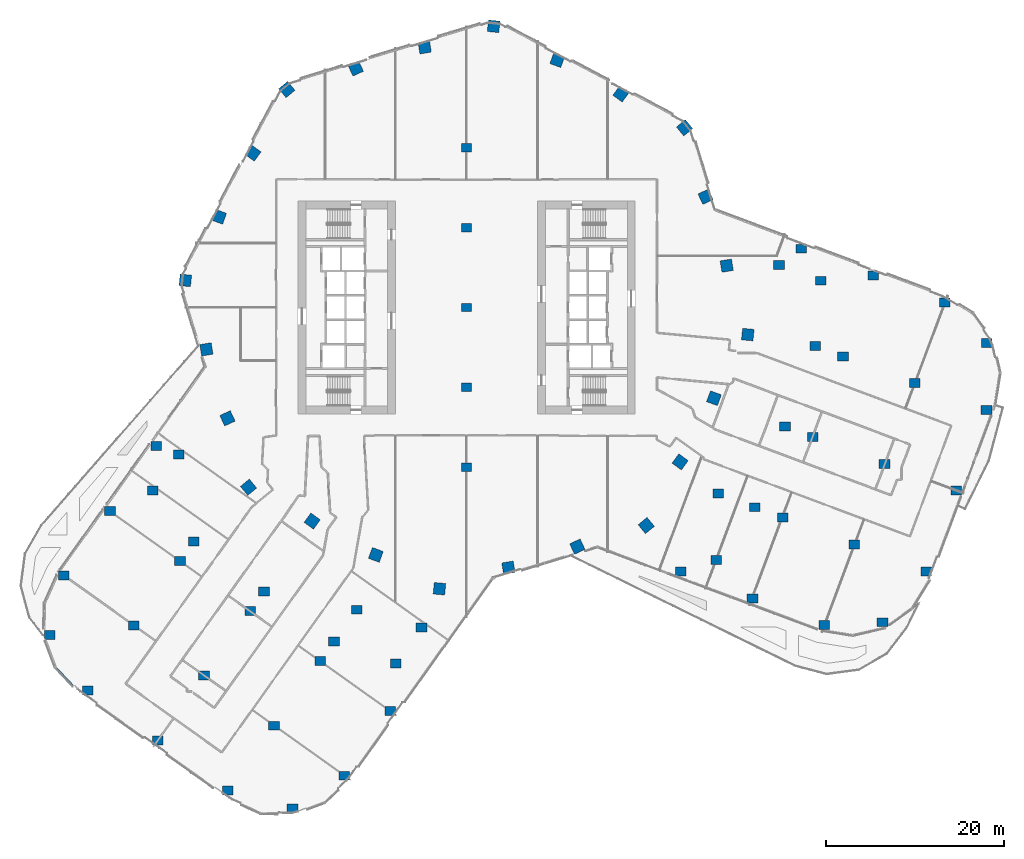
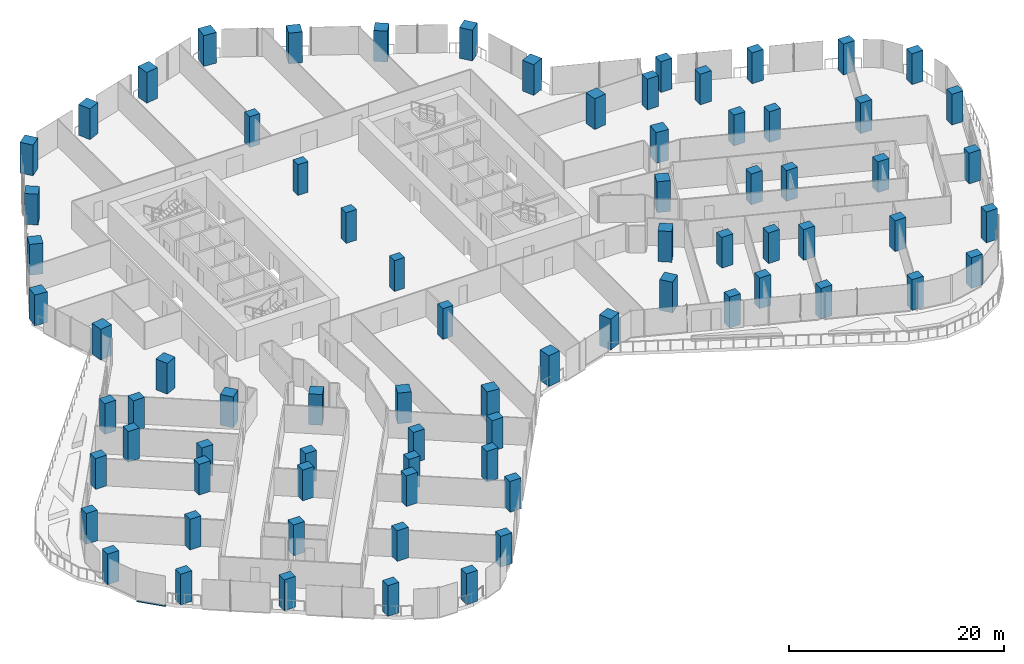
# One storey, part 1 of 30: 77 columns, 1 member, 1 element without a shape of its own.
"""IFC4 building model written with IfcOpenShell, lengths in metres."""

from ifc_helpers import new_model, si_unit, direction, frame, origin, origin_2d, place, context, subcontext, project, spatial, rectangle, extrude, material, material_profile, profile_set, type_object, element, aggregate, save


model = new_model("IFC4")

# Units and contexts
model_context = context("Model", 3, precision=1e-05, world=origin(), true_north=direction((0.0, 1.0)))
body_context = subcontext(model_context, "Body", "Model", "MODEL_VIEW")
ifc_project = project(units=[si_unit("LENGTHUNIT", "METRE"), si_unit("AREAUNIT", "SQUARE_METRE"), si_unit("VOLUMEUNIT", "CUBIC_METRE"), si_unit("PLANEANGLEUNIT", "RADIAN"), si_unit("MASSUNIT", "GRAM", prefix="KILO")], contexts=[model_context])

# Site, building, storey
site_placement = place(None, origin())
site = spatial("IfcSite", under=ifc_project, at=site_placement, CompositionType="ELEMENT")
building_placement = place(site_placement, origin())
building = spatial("IfcBuilding", under=site, at=building_placement, Name="Orlundy Tower", CompositionType="ELEMENT")
storey_placement = place(building_placement, frame((0.0, 0.0, 80.699951171875)))
storey = spatial("IfcBuildingStorey", under=building, at=storey_placement, Name="L19", CompositionType="ELEMENT", Elevation=80.699951171875)

# Columns
ifc_material_1 = material(Name="Concrete C80/95", Category="concrete")
ifc_material_profile_1 = material_profile(ifc_material_1, rectangle(XDim=1.10009765625, YDim=0.949951171875, at=origin_2d()), Name="RC1100X950")
ifc_profile_set_1 = profile_set([ifc_material_profile_1], Name="Concrete C80/95")
column_type_1 = type_object("IfcColumnType", Name="RC COLUMN RC1100X950 C80/95", PredefinedType="COLUMN", material=ifc_profile_set_1)
for number, where, z_axis, x_axis, name in (
    (1, (0.0, -18.0, 0.0), (0.0, 0.0, 1.0), (1.0, 0.0, 0.0), "Column C-M1 L19"),
    (2, (0.0, -9.0, 0.0), (0.0, 0.0, 1.0), (1.0, 0.0, 0.0), "Column C-M2 L19"),
    (3, (0.0, 0.0, 0.0), (0.0, 0.0, 1.0), (1.0, 0.0, 0.0), "Column C-M3 L19"),
    (4, (0.0, 9.0, 0.0), (0.0, 0.0, 1.0), (1.0, 0.0, 0.0), "Column C-M4 L19"),
    (5, (0.0, 18.0, 0.0), (0.0, 0.0, 1.0), (1.0, 0.0, 0.0), "Column C-M5 L19"),
):
    element("IfcColumn", number, at=place(storey_placement, frame(where, z_axis=z_axis, x_axis=x_axis)), inside=storey, type_object=column_type_1, Name=name, PredefinedType="COLUMN", context=body_context, shape_type="SweptSolid", body=[
        extrude(rectangle(XDim=1.10009765625, YDim=0.949951171875, at=origin_2d()), origin(), (0.0, 0.0, 1.0), 3.5),
    ])
ifc_material_2 = material(Name="Concrete C80/95", Category="concrete")
ifc_material_profile_2 = material_profile(ifc_material_2, rectangle(XDim=1.199951171875, YDim=1.0, at=origin_2d()), Name="RC1200X1000")
ifc_profile_set_2 = profile_set([ifc_material_profile_2], Name="Concrete C80/95")
column_type_2 = type_object("IfcColumnType", Name="RC COLUMN RC1200X1000 C80/95", PredefinedType="COLUMN", material=ifc_profile_set_2)
for number, where, z_axis, x_axis, name in (
    (6, (24.115966796875, -29.72802734375, 0.0), (0.0, 0.0, 1.0), (1.0, 0.0, 0.0), "Column C-A1-1 L19"),
    (7, (32.202880859375, -32.751953125, 0.0), (0.0, 0.0, 1.0), (1.0, 0.0, 0.0), "Column C-A1-2 L19"),
    (8, (40.291015625, -35.77099609375, 0.0), (0.0, 0.0, 1.0), (1.0, 0.0, 0.0), "Column C-A1-3 L19"),
    (9, (46.846923828125, -35.444091796875, 0.0), (0.0, 0.0, 1.0), (1.0, 0.0, 0.0), "Column C-A1-5 L19"),
    (10, (28.114013671875, -28.43994140625, 0.0), (0.0, 0.0, 1.0), (1.0, 0.0, 0.0), "Column C-A1-6 L19"),
    (11, (35.60009765625, -23.666015625, 0.0), (0.0, 0.0, 1.0), (1.0, 0.0, 0.0), "Column C-A2-2 L19"),
    (12, (43.68603515625, -26.68896484375, 0.0), (0.0, 0.0, 1.0), (1.0, 0.0, 0.0), "Column C-A2-3 L19"),
    (13, (51.77294921875, -29.712890625, 0.0), (0.0, 0.0, 1.0), (1.0, 0.0, 0.0), "Column C-A2-5 L19"),
    (14, (32.47802734375, -22.4990234375, 0.0), (0.0, 0.0, 1.0), (1.0, 0.0, 0.0), "Column C-A2-6 L19"),
    (15, (28.35595703125, -20.9580078125, 0.0), (0.0, 0.0, 1.0), (1.0, 0.0, 0.0), "Column C-A2-7 L19"),
    (16, (38.9970703125, -14.580078125, 0.0), (0.0, 0.0, 1.0), (1.0, 0.0, 0.0), "Column C-A3-2 L19"),
    (17, (47.0830078125, -17.60400390625, 0.0), (0.0, 0.0, 1.0), (1.0, 0.0, 0.0), "Column C-A3-3 L19"),
    (18, (55.169921875, -20.626953125, 0.0), (0.0, 0.0, 1.0), (1.0, 0.0, 0.0), "Column C-A3-5 L19"),
    (19, (35.875, -13.4130859375, 0.0), (0.0, 0.0, 1.0), (1.0, 0.0, 0.0), "Column C-A3-6 L19"),
    (20, (42.39404296875, -5.4951171875, 0.0), (0.0, 0.0, 1.0), (1.0, 0.0, 0.0), "Column C-A4-2 L19"),
    (21, (50.47998046875, -8.51806640625, 0.0), (0.0, 0.0, 1.0), (1.0, 0.0, 0.0), "Column C-A4-3 L19"),
    (22, (58.56689453125, -11.541015625, 0.0), (0.0, 0.0, 1.0), (1.0, 0.0, 0.0), "Column C-A4-5 L19"),
    (23, (39.27197265625, -4.326904296875, 0.0), (0.0, 0.0, 1.0), (1.0, 0.0, 0.0), "Column C-A4-6 L19"),
    (24, (37.7041015625, 6.614990234375, 0.0), (0.0, 0.0, 1.0), (1.0, 0.0, 0.0), "Column C-A5-1 L19"),
    (25, (45.791015625, 3.591064453125, 0.0), (0.0, 0.0, 1.0), (1.0, 0.0, 0.0), "Column C-A5-2 L19"),
    (26, (53.8759765625, 0.56396484375, 0.0), (0.0, 0.0, 1.0), (1.0, 0.0, 0.0), "Column C-A5-3 L19"),
    (27, (58.60888671875, -3.985107421875, 0.0), (0.0, 0.0, 1.0), (1.0, 0.0, 0.0), "Column C-A5-5 L19"),
    (28, (39.8759765625, 3.02001953125, 0.0), (0.0, 0.0, 1.0), (1.0, 0.0, 0.0), "Column C-A5-6 L19"),
    (29, (35.193115234375, 4.77099609375, 0.0), (0.0, 0.0, 1.0), (1.0, 0.0, 0.0), "Column C-A5-7 L19"),
    (30, (-34.95703125, -15.60009765625, 0.0), (0.0, 0.0, 1.0), (1.0, 0.0, 0.0), "Column C-B1-1 L19"),
    (31, (-40.1640625, -22.89990234375, 0.0), (0.0, 0.0, 1.0), (1.0, 0.0, 0.0), "Column C-B1-2 L19"),
    (32, (-45.37109375, -30.199951171875, 0.0), (0.0, 0.0, 1.0), (1.0, 0.0, 0.0), "Column C-B1-3 L19"),
    (33, (-46.94189453125, -36.89111328125, 0.0), (0.0, 0.0, 1.0), (1.0, 0.0, 0.0), "Column C-B1-5 L19"),
    (34, (-35.327880859375, -20.60888671875, 0.0), (0.0, 0.0, 1.0), (1.0, 0.0, 0.0), "Column C-B1-6 L19"),
    (35, (-32.424072265625, -16.5390625, 0.0), (0.0, 0.0, 1.0), (1.0, 0.0, 0.0), "Column C-B1-7 L19"),
    (36, (-32.26708984375, -28.532958984375, 0.0), (0.0, 0.0, 1.0), (1.0, 0.0, 0.0), "Column C-B2-2 L19"),
    (37, (-37.47412109375, -35.8330078125, 0.0), (0.0, 0.0, 1.0), (1.0, 0.0, 0.0), "Column C-B2-3 L19"),
    (38, (-42.680908203125, -43.133056640625, 0.0), (0.0, 0.0, 1.0), (1.0, 0.0, 0.0), "Column C-B2-5 L19"),
    (39, (-30.718994140625, -26.362060546875, 0.0), (0.0, 0.0, 1.0), (1.0, 0.0, 0.0), "Column C-B2-6 L19"),
    (40, (-24.3701171875, -34.166015625, 0.0), (0.0, 0.0, 1.0), (1.0, 0.0, 0.0), "Column C-B3-2 L19"),
    (41, (-29.576904296875, -41.466064453125, 0.0), (0.0, 0.0, 1.0), (1.0, 0.0, 0.0), "Column C-B3-3 L19"),
    (42, (-34.783935546875, -48.76611328125, 0.0), (0.0, 0.0, 1.0), (1.0, 0.0, 0.0), "Column C-B3-5 L19"),
    (43, (-22.822021484375, -31.9951171875, 0.0), (0.0, 0.0, 1.0), (1.0, 0.0, 0.0), "Column C-B3-6 L19"),
    (44, (-16.472900390625, -39.799072265625, 0.0), (0.0, 0.0, 1.0), (1.0, 0.0, 0.0), "Column C-B4-2 L19"),
    (45, (-21.679931640625, -47.097900390625, 0.0), (0.0, 0.0, 1.0), (1.0, 0.0, 0.0), "Column C-B4-3 L19"),
    (46, (-26.886962890625, -54.39794921875, 0.0), (0.0, 0.0, 1.0), (1.0, 0.0, 0.0), "Column C-B4-5 L19"),
    (47, (-14.925048828125, -37.6279296875, 0.0), (0.0, 0.0, 1.0), (1.0, 0.0, 0.0), "Column C-B4-6 L19"),
    (48, (-12.3701171875, -34.044921875, 0.0), (0.0, 0.0, 1.0), (1.0, 0.0, 0.0), "Column C-B4-7 L19"),
    (49, (-8.575927734375, -45.430908203125, 0.0), (0.0, 0.0, 1.0), (1.0, 0.0, 0.0), "Column C-B5-2 L19"),
    (50, (-13.782958984375, -52.73095703125, 0.0), (0.0, 0.0, 1.0), (1.0, 0.0, 0.0), "Column C-B5-3 L19"),
    (51, (-19.59912109375, -56.39501953125, 0.0), (0.0, 0.0, 1.0), (1.0, 0.0, 0.0), "Column C-B5-5 L19"),
    (52, (-7.985107421875, -40.113037109375, 0.0), (0.0, 0.0, 1.0), (1.0, 0.0, 0.0), "Column C-B5-6 L19"),
    (53, (-5.0810546875, -36.0419921875, 0.0), (0.0, 0.0, 1.0), (1.0, 0.0, 0.0), "Column C-B5-7 L19"),
):
    element("IfcColumn", number, at=place(storey_placement, frame(where, z_axis=z_axis, x_axis=x_axis)), inside=storey, type_object=column_type_2, Name=name, PredefinedType="COLUMN", context=body_context, shape_type="SweptSolid", body=[
        extrude(rectangle(XDim=1.199951171875, YDim=1.0, at=origin_2d()), origin(), (0.0, 0.0, 1.0), 3.5),
    ])
ifc_material_3 = material(Name="Concrete C80/95", Category="concrete")
ifc_material_profile_3 = material_profile(ifc_material_3, rectangle(XDim=1.300048828125, YDim=1.300048828125, at=origin_2d()), Name="RC1300X1300")
ifc_profile_set_3 = profile_set([ifc_material_profile_3], Name="Concrete C80/95")
column_type_3 = type_object("IfcColumnType", Name="RC COLUMN RC1300X1300 C80/95", PredefinedType="COLUMN", material=ifc_profile_set_3)
for number, where, z_axis, x_axis, name in (
    (54, (24.554931640625, 20.240966796875, 0.0), (0.0, 0.0, 1.0), (0.771635684929, 0.636064752791, 0.0), "Column C-H01 L19"),
    (55, (26.928955078125, 12.47802734375, 0.0), (0.0, 0.0, 1.0), (0.907330394129, 0.420418310601, 0.0), "Column C-H02 L19"),
    (56, (29.302001953125, 4.714111328125, 0.0), (0.0, 0.0, 1.0), (0.987305923232, 0.158830141822, 0.0), "Column C-H03 L19"),
    (57, (31.676025390625, -3.050048828125, 0.0), (0.0, 0.0, 1.0), (0.995396198367, -0.09584575252, 0.0), "Column C-H04 L19"),
    (58, (27.864013671875, -10.218017578125, 0.0), (0.0, 0.0, 1.0), (0.938866121832, -0.344282449852, 0.0), "Column C-H05 L19"),
    (59, (24.052978515625, -17.386962890625, 0.0), (0.0, 0.0, 1.0), (0.810430359136, -0.585834987851, 0.0), "Column C-H06 L19"),
    (60, (20.240966796875, -24.554931640625, 0.0), (0.0, 0.0, 1.0), (0.636064752791, -0.771635684929, 0.0), "Column C-H07 L19"),
    (61, (12.47802734375, -26.928955078125, 0.0), (0.0, 0.0, 1.0), (0.420418310601, -0.907330394129, 0.0), "Column C-H08 L19"),
    (62, (4.714111328125, -29.302001953125, 0.0), (0.0, 0.0, 1.0), (0.158830141822, -0.987305923232, 0.0), "Column C-H09 L19"),
    (63, (-3.050048828125, -31.676025390625, 0.0), (0.0, 0.0, 1.0), (-0.09584575252, -0.995396198367, 0.0), "Column C-H10 L19"),
    (64, (-10.218017578125, -27.864013671875, 0.0), (0.0, 0.0, 1.0), (-0.344282449852, -0.938866121832, 0.0), "Column C-H11 L19"),
    (65, (-17.386962890625, -24.052978515625, 0.0), (0.0, 0.0, 1.0), (-0.585834987851, -0.810430359136, 0.0), "Column C-H12 L19"),
    (66, (-24.554931640625, -20.240966796875, 0.0), (0.0, 0.0, 1.0), (-0.771635684929, -0.636064752791, 0.0), "Column C-H13 L19"),
    (67, (-26.928955078125, -12.47802734375, 0.0), (0.0, 0.0, 1.0), (-0.907330394129, -0.420418310601, 0.0), "Column C-H14 L19"),
    (68, (-29.302001953125, -4.714111328125, 0.0), (0.0, 0.0, 1.0), (-0.987305923232, -0.158830141822, 0.0), "Column C-H15 L19"),
    (69, (-31.676025390625, 3.050048828125, 0.0), (0.0, 0.0, 1.0), (-0.995396198367, 0.09584575252, 0.0), "Column C-H16 L19"),
    (70, (-27.864013671875, 10.218017578125, 0.0), (0.0, 0.0, 1.0), (-0.938866121832, 0.344282449852, 0.0), "Column C-H17 L19"),
    (71, (-24.052978515625, 17.386962890625, 0.0), (0.0, 0.0, 1.0), (-0.810430359136, 0.585834987851, 0.0), "Column C-H18 L19"),
    (72, (-20.240966796875, 24.554931640625, 0.0), (0.0, 0.0, 1.0), (-0.636064752791, 0.771635684929, 0.0), "Column C-H19 L19"),
    (73, (-12.47802734375, 26.928955078125, 0.0), (0.0, 0.0, 1.0), (-0.420418310601, 0.907330394129, 0.0), "Column C-H20 L19"),
    (74, (-4.714111328125, 29.302001953125, 0.0), (0.0, 0.0, 1.0), (-0.158830141822, 0.987305923232, 0.0), "Column C-H21 L19"),
    (75, (3.050048828125, 31.676025390625, 0.0), (0.0, 0.0, 1.0), (0.09584575252, 0.995396198367, 0.0), "Column C-H22 L19"),
    (76, (10.218017578125, 27.864013671875, 0.0), (0.0, 0.0, 1.0), (0.344282449852, 0.938866121832, 0.0), "Column C-H23 L19"),
    (77, (17.386962890625, 24.052978515625, 0.0), (0.0, 0.0, 1.0), (0.585834987851, 0.810430359136, 0.0), "Column C-H24 L19"),
):
    element("IfcColumn", number, at=place(storey_placement, frame(where, z_axis=z_axis, x_axis=x_axis)), inside=storey, type_object=column_type_3, Name=name, PredefinedType="COLUMN", context=body_context, shape_type="SweptSolid", body=[
        extrude(rectangle(XDim=1.300048828125, YDim=1.300048828125, at=origin_2d()), origin(), (0.0, 0.0, 1.0), 3.5),
    ])

# Curtain wall, member
ifc_material_4 = material(Name="Aluminium bronze anodised", Category="aluminium")
curtain_wall_type = type_object("IfcCurtainWallType", Name="CW1 wall", PredefinedType="NOTDEFINED", material=ifc_material_4)
curtain_wall_placement = place(storey_placement, origin())
curtain_wall = element("IfcCurtainWall", 78, at=curtain_wall_placement, inside=storey, type_object=curtain_wall_type, Name="CW1 run 024", PredefinedType="NOTDEFINED")
ifc_material_5 = material(Name="Aluminium bronze anodised", Category="aluminium")
ifc_material_profile_4 = material_profile(ifc_material_5, rectangle(XDim=0.179931640625, YDim=0.1201171875, at=origin_2d()), Name="CW1 transom 180x120")
ifc_profile_set_4 = profile_set([ifc_material_profile_4], Name="Aluminium bronze anodised")
member_type = type_object("IfcMemberType", Name="CW1 transom 180x120", PredefinedType="USERDEFINED", material=ifc_profile_set_4)
member_placement = place(storey_placement, frame((-44.3095703125, -42.6201171875, -0.33984375), z_axis=(-0.685242549146, 0.728314937949, 0.0), x_axis=(-0.728314937949, -0.685242549146, 0.0)))
member = element("IfcMember", 79, at=member_placement, type_object=member_type, Name="CW1 transom", ObjectType="TRANSOM", PredefinedType="USERDEFINED", context=body_context, shape_type="SweptSolid", body=[
    extrude(rectangle(XDim=0.179931640625, YDim=0.1201171875, at=origin_2d()), origin(), (0.0, 0.0, 1.0), 2.8056640625),
])
aggregate(curtain_wall, [member])

save(model, "model.ifc")
